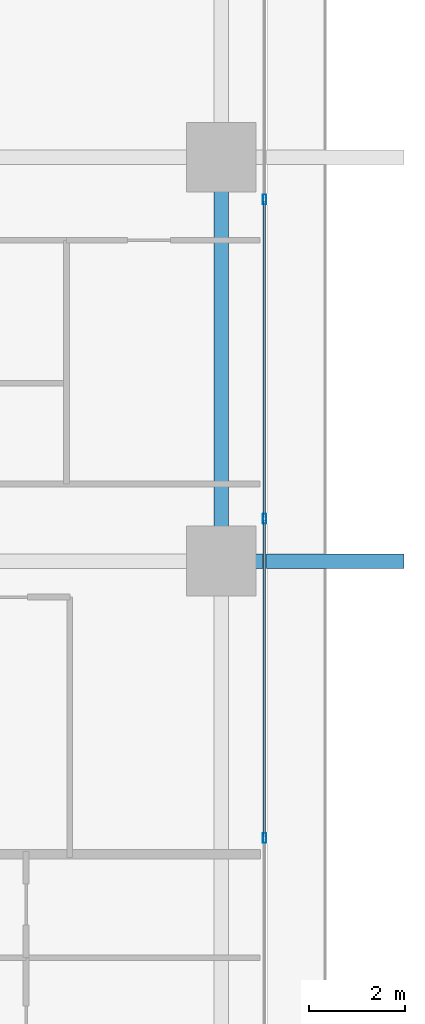
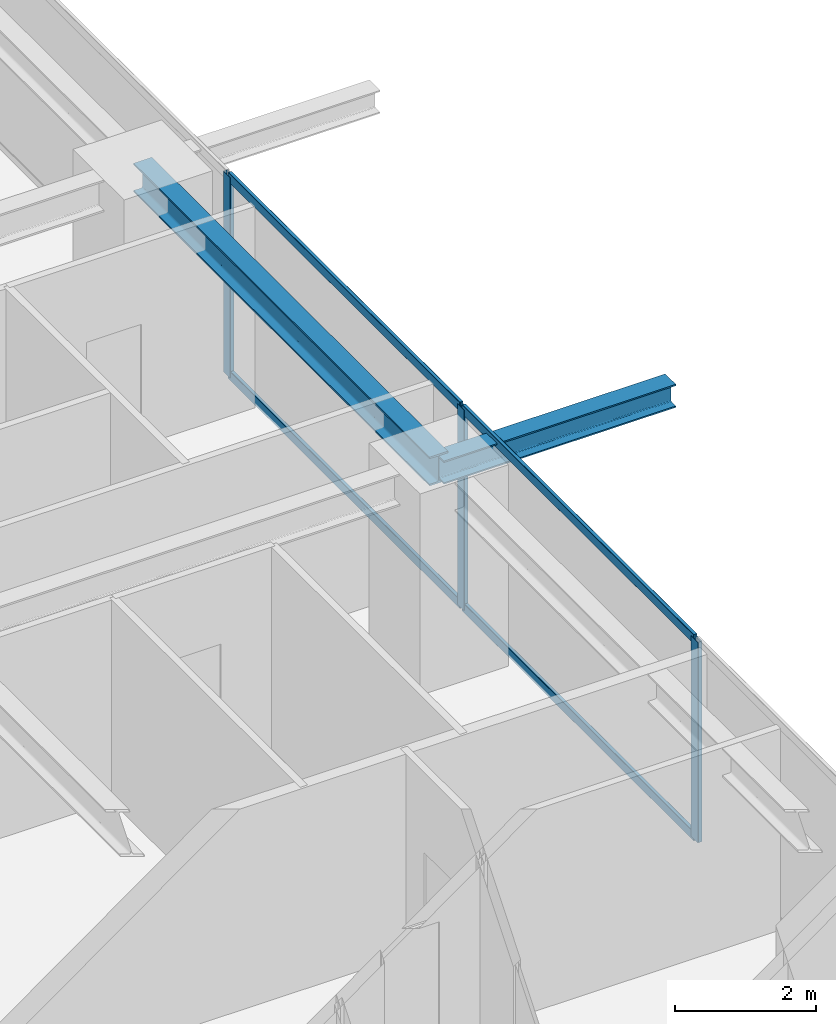
# One storey, part 15 of 41: 7 members, 2 beams, 1 element without a shape of its own.
"""IFC4 building model written with IfcOpenShell, lengths in metres."""

from ifc_helpers import new_model, si_unit, direction, frame, origin, origin_2d, place, context, subcontext, project, spatial, hollow_rectangle, i_section, extrude, source, transform, mapped, material, layer, layer_set, material_profile, profile_set, type_object, element, aggregate, save


model = new_model("IFC4")

# Units and contexts
model_context = context("Model", 3, precision=1e-05, world=origin(), true_north=direction((0.0, 1.0)))
body_context = subcontext(model_context, "Body", "Model", "MODEL_VIEW")
ifc_project = project(units=[si_unit("LENGTHUNIT", "METRE"), si_unit("AREAUNIT", "SQUARE_METRE"), si_unit("VOLUMEUNIT", "CUBIC_METRE"), si_unit("PLANEANGLEUNIT", "RADIAN"), si_unit("MASSUNIT", "GRAM", prefix="KILO")], contexts=[model_context])

# Site, building, storey
site_placement = place(None, origin())
site = spatial("IfcSite", under=ifc_project, at=site_placement, CompositionType="ELEMENT")
building_placement = place(site_placement, origin())
building = spatial("IfcBuilding", under=site, at=building_placement, Name="Serunith Strait Residences", CompositionType="ELEMENT")
storey_placement = place(building_placement, frame((0.0, 0.0, 45.449951171875)))
storey = spatial("IfcBuildingStorey", under=building, at=storey_placement, Name="L10", CompositionType="ELEMENT", Elevation=45.449951171875)

# Beams
ifc_material_1 = material(Name="Steel S355J2", Category="steel")
ifc_material_profile_1 = material_profile(ifc_material_1, i_section(OverallWidth=0.300048828125, OverallDepth=0.5, WebThickness=0.014404296875, FlangeThickness=0.028076171875, FilletRadius=0.027099609375, at=origin_2d()), Name="HEB 500")
ifc_profile_set_1 = profile_set([ifc_material_profile_1], Name="Steel S355J2")
beam_type_1 = type_object("IfcBeamType", Name="BM-HEB500", PredefinedType="BEAM", material=ifc_profile_set_1)
shared_shape_1 = source(origin(), body_context, "Body", "SweptSolid", [
    extrude(i_section(OverallWidth=0.300048828125, OverallDepth=0.5, WebThickness=0.014404296875, FlangeThickness=0.028076171875, FilletRadius=0.027099609375, at=origin_2d()), origin(), (0.0, 0.0, 1.0), 8.39990234375),
])
beam_1_placement = place(storey_placement, frame((57.89990234375, 21.0, 3.237060546875), z_axis=(0.0, 1.0, 0.0), x_axis=(-1.0, 0.0, 0.0)))
element("IfcBeam", 1, at=beam_1_placement, inside=storey, type_object=beam_type_1, Name="L10 Perimeter Ring Beam 06", PredefinedType="BEAM", context=body_context, shape_type="MappedRepresentation", body=[
    mapped(shared_shape_1, transform((0.0, 0.0, 0.0), scale=1.0)),
])
ifc_material_profile_2 = material_profile(ifc_material_1, i_section(OverallWidth=0.300048828125, OverallDepth=0.39990234375, WebThickness=0.013427734375, FlangeThickness=0.02392578125, FilletRadius=0.027099609375, at=origin_2d()), Name="HEB 400")
ifc_profile_set_2 = profile_set([ifc_material_profile_2], Name="Steel S355J2")
beam_type_2 = type_object("IfcBeamType", Name="BM-HEB400", PredefinedType="BEAM", material=ifc_profile_set_2)
shared_shape_2 = source(origin(), body_context, "Body", "SweptSolid", [
    extrude(i_section(OverallWidth=0.300048828125, OverallDepth=0.39990234375, WebThickness=0.013427734375, FlangeThickness=0.02392578125, FilletRadius=0.027099609375, at=origin_2d()), origin(), (0.0, 0.0, 1.0), 3.800048828125),
])
beam_2_placement = place(storey_placement, frame((57.89990234375, 21.0, 3.257080078125), z_axis=(1.0, 0.0, 0.0), x_axis=(0.0, 1.0, 0.0)))
element("IfcBeam", 2, at=beam_2_placement, inside=storey, type_object=beam_type_2, Name="L11 Cantilevered Balcony Rib TC-E2", PredefinedType="BEAM", context=body_context, shape_type="MappedRepresentation", body=[
    mapped(shared_shape_2, transform((0.0, 0.0, 0.0), scale=1.0)),
])

# Curtain wall, members
ifc_material_2 = material(Name="Pale-Champagne Anodised Aluminium", Category="aluminium")
ifc_layer = layer(ifc_material_2, 0.199951171875, Name="Pale-Champagne Anodised Aluminium")
ifc_layer_set = layer_set([ifc_layer], Name="Pale-Champagne Anodised Aluminium")
curtain_wall_type = type_object("IfcCurtainWallType", Name="CW-SYS1", PredefinedType="NOTDEFINED", material=ifc_layer_set)
curtain_wall_placement = place(storey_placement, origin())
curtain_wall = element("IfcCurtainWall", 3, at=curtain_wall_placement, inside=storey, type_object=curtain_wall_type, Name="L10 E Unitised Fritted Curtain Wall", PredefinedType="NOTDEFINED")
ifc_material_profile_3 = material_profile(ifc_material_2, hollow_rectangle(XDim=0.070068359375, YDim=0.199951171875, WallThickness=0.00390625, InnerFilletRadius=0.006103515625, OuterFilletRadius=0.010009765625, at=origin_2d()), Name="ALU 200x70x4")
ifc_profile_set_3 = profile_set([ifc_material_profile_3], Name="Pale-Champagne Anodised Aluminium")
member_type_1 = type_object("IfcMemberType", Name="CW-SYS1-MULL", PredefinedType="MULLION", material=ifc_profile_set_3)
shared_shape_3 = source(origin(), body_context, "Body", "SweptSolid", [
    extrude(hollow_rectangle(XDim=0.070068359375, YDim=0.199951171875, WallThickness=0.00390625, InnerFilletRadius=0.006103515625, OuterFilletRadius=0.010009765625, at=origin_2d()), origin(), (0.0, 0.0, 1.0), 3.47509765625),
])
member_1_placement = place(storey_placement, frame((58.800048828125, 15.239990234375, 0.0), z_axis=(0.0, 0.0, 1.0), x_axis=(-1.0, 0.0, 0.0)))
member_1 = element("IfcMember", 4, at=member_1_placement, type_object=member_type_1, Name="CW-1 mullion 2", PredefinedType="MULLION", context=body_context, shape_type="MappedRepresentation", body=[
    mapped(shared_shape_3, transform((0.0, 0.0, 0.0), scale=1.0)),
])
member_2_placement = place(storey_placement, frame((58.800048828125, 21.8798828125, 0.0), z_axis=(0.0, 0.0, 1.0), x_axis=(-1.0, 0.0, 0.0)))
member_2 = element("IfcMember", 5, at=member_2_placement, type_object=member_type_1, Name="CW-1 mullion 3", PredefinedType="MULLION", context=body_context, shape_type="MappedRepresentation", body=[
    mapped(shared_shape_3, transform((0.0, 0.0, 0.0), scale=1.0)),
])
member_3_placement = place(storey_placement, frame((58.800048828125, 28.52001953125, 0.0), z_axis=(0.0, 0.0, 1.0), x_axis=(-1.0, 0.0, 0.0)))
member_3 = element("IfcMember", 6, at=member_3_placement, type_object=member_type_1, Name="CW-1 mullion 4", PredefinedType="MULLION", context=body_context, shape_type="MappedRepresentation", body=[
    mapped(shared_shape_3, transform((0.0, 0.0, 0.0), scale=1.0)),
])
ifc_material_profile_4 = material_profile(ifc_material_2, hollow_rectangle(XDim=0.06005859375, YDim=0.159912109375, WallThickness=0.00341796875, InnerFilletRadius=0.00537109375, OuterFilletRadius=0.0087890625, at=origin_2d()), Name="ALU 160x60x3.5")
ifc_profile_set_4 = profile_set([ifc_material_profile_4], Name="Pale-Champagne Anodised Aluminium")
member_type_2 = type_object("IfcMemberType", Name="CW-SYS1-TRAN", PredefinedType="USERDEFINED", material=ifc_profile_set_4)
shared_shape_4 = source(origin(), body_context, "Body", "SweptSolid", [
    extrude(hollow_rectangle(XDim=0.06005859375, YDim=0.159912109375, WallThickness=0.00341796875, InnerFilletRadius=0.00537109375, OuterFilletRadius=0.0087890625, at=origin_2d()), origin(), (0.0, 0.0, 1.0), 6.570068359375),
])
member_4_placement = place(storey_placement, frame((58.800048828125, 15.27490234375, 0.030029296875), z_axis=(0.0, 1.0, 0.0), x_axis=(-1.0, 0.0, 0.0)))
member_4 = element("IfcMember", 7, at=member_4_placement, type_object=member_type_2, Name="CW-1 transom 2.1", ObjectType="TRANSOM", PredefinedType="USERDEFINED", context=body_context, shape_type="MappedRepresentation", body=[
    mapped(shared_shape_4, transform((0.0, 0.0, 0.0), scale=1.0)),
])
member_5_placement = place(storey_placement, frame((58.800048828125, 15.27490234375, 3.445068359375), z_axis=(0.0, 1.0, 0.0), x_axis=(-1.0, 0.0, 0.0)))
member_5 = element("IfcMember", 8, at=member_5_placement, type_object=member_type_2, Name="CW-1 transom 2.2", ObjectType="TRANSOM", PredefinedType="USERDEFINED", context=body_context, shape_type="MappedRepresentation", body=[
    mapped(shared_shape_4, transform((0.0, 0.0, 0.0), scale=1.0)),
])
member_6_placement = place(storey_placement, frame((58.800048828125, 21.9150390625, 0.030029296875), z_axis=(0.0, 1.0, 0.0), x_axis=(-1.0, 0.0, 0.0)))
member_6 = element("IfcMember", 9, at=member_6_placement, type_object=member_type_2, Name="CW-1 transom 3.1", ObjectType="TRANSOM", PredefinedType="USERDEFINED", context=body_context, shape_type="MappedRepresentation", body=[
    mapped(shared_shape_4, transform((0.0, 0.0, 0.0), scale=1.0)),
])
member_7_placement = place(storey_placement, frame((58.800048828125, 21.9150390625, 3.445068359375), z_axis=(0.0, 1.0, 0.0), x_axis=(-1.0, 0.0, 0.0)))
member_7 = element("IfcMember", 10, at=member_7_placement, type_object=member_type_2, Name="CW-1 transom 3.2", ObjectType="TRANSOM", PredefinedType="USERDEFINED", context=body_context, shape_type="MappedRepresentation", body=[
    mapped(shared_shape_4, transform((0.0, 0.0, 0.0), scale=1.0)),
])
aggregate(curtain_wall, [member_1, member_2, member_3, member_4, member_5, member_6, member_7])

save(model, "model.ifc")
